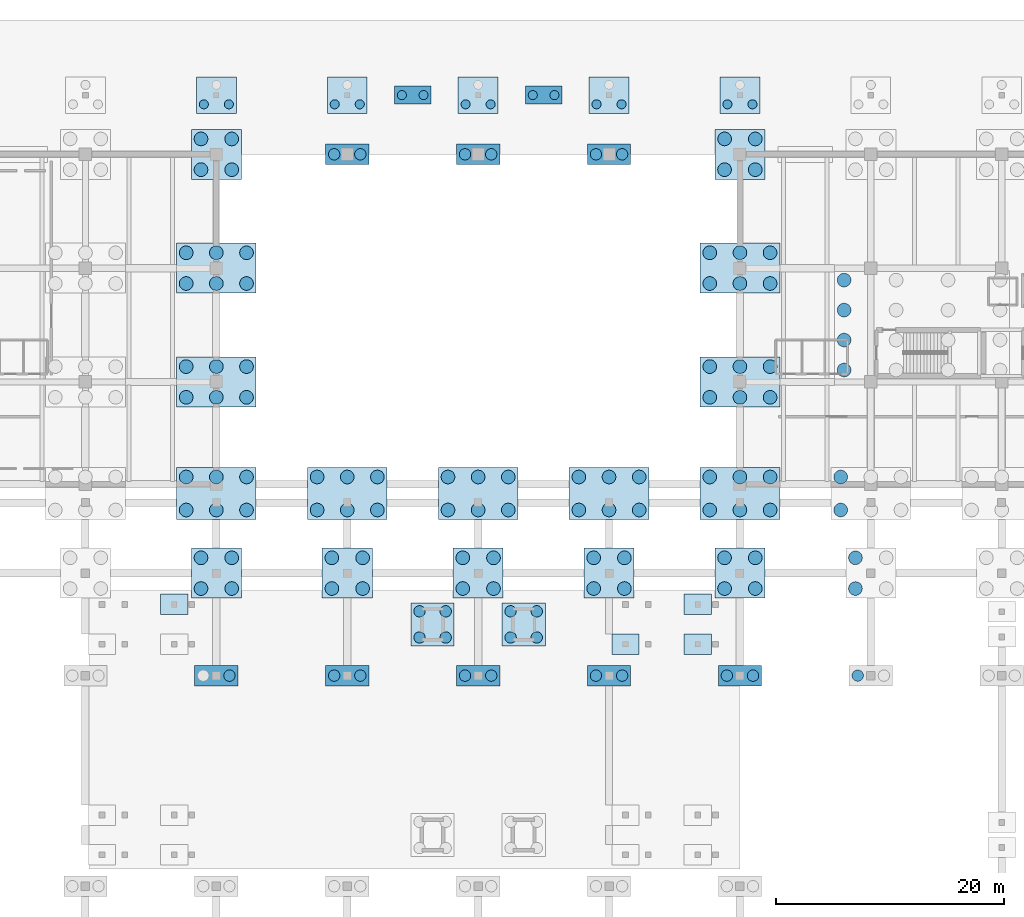
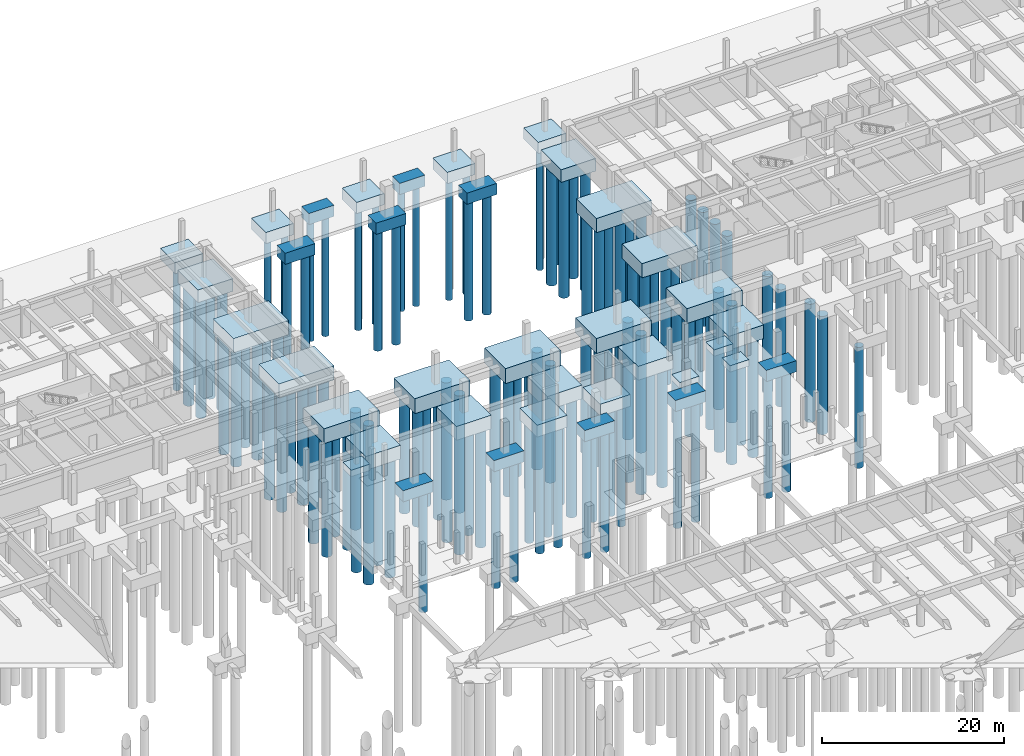
# One storey, part 4 of 28: 128 piles, 37 footings.
"""IFC4 building model written with IfcOpenShell, lengths in metres."""

from ifc_helpers import new_model, si_unit, direction, frame, origin, origin_2d, place, context, subcontext, project, spatial, rectangle, circle, extrude, material, material_profile, profile_set, type_object, element, save


model = new_model("IFC4")

# Units and contexts
model_context = context("Model", 3, precision=1e-05, world=origin(), true_north=direction((0.0, 1.0)))
body_context = subcontext(model_context, "Body", "Model", "MODEL_VIEW")
ifc_project = project(units=[si_unit("LENGTHUNIT", "METRE"), si_unit("AREAUNIT", "SQUARE_METRE"), si_unit("VOLUMEUNIT", "CUBIC_METRE"), si_unit("PLANEANGLEUNIT", "RADIAN"), si_unit("MASSUNIT", "GRAM", prefix="KILO")], contexts=[model_context])

# Site, building, storey
site_placement = place(None, origin())
site = spatial("IfcSite", under=ifc_project, at=site_placement, CompositionType="ELEMENT")
building_placement = place(site_placement, origin())
building = spatial("IfcBuilding", under=site, at=building_placement, Name="Ologun Quay Terminus", CompositionType="ELEMENT")
storey_placement = place(building_placement, frame((0.0, 0.0, -8.39990234375)))
storey = spatial("IfcBuildingStorey", under=building, at=storey_placement, Name="B02", CompositionType="ELEMENT", Elevation=-8.39990234375)

# Piles
ifc_material_1 = material(Name="Concrete C35/45", Category="concrete")
ifc_material_profile_1 = material_profile(ifc_material_1, circle(Radius=0.5, at=origin_2d()), Name="PILE D1000")
ifc_profile_set_1 = profile_set([ifc_material_profile_1], Name="Concrete C35/45")
pile_type_1 = type_object("IfcPileType", Name="Bored Concrete Pile D1000", PredefinedType="BORED", material=ifc_profile_set_1)
for number, where, z_axis, x_axis, name in (
    (1, (86.85009765625, 72.35009765625, -1.5), (0.0, 0.0, -1.0), (1.0, 0.0, 0.0), "P2 Pile FND-LF-P3-01"),
    (2, (89.14990234375, 72.35009765625, -1.5), (0.0, 0.0, -1.0), (1.0, 0.0, 0.0), "P2 Pile FND-LF-P3-02"),
    (3, (86.85009765625, 74.64990234375, -1.5), (0.0, 0.0, -1.0), (1.0, 0.0, 0.0), "P2 Pile FND-LF-P3-03"),
    (4, (89.14990234375, 74.64990234375, -1.5), (0.0, 0.0, -1.0), (1.0, 0.0, 0.0), "P2 Pile FND-LF-P3-04"),
    (5, (94.85009765625, 72.35009765625, -1.5), (0.0, 0.0, -1.0), (1.0, 0.0, 0.0), "P2 Pile FND-LF-P4-01"),
    (6, (97.14990234375, 72.35009765625, -1.5), (0.0, 0.0, -1.0), (1.0, 0.0, 0.0), "P2 Pile FND-LF-P4-02"),
    (7, (94.85009765625, 74.64990234375, -1.5), (0.0, 0.0, -1.0), (1.0, 0.0, 0.0), "P2 Pile FND-LF-P4-03"),
    (8, (97.14990234375, 74.64990234375, -1.5), (0.0, 0.0, -1.0), (1.0, 0.0, 0.0), "P2 Pile FND-LF-P4-04"),
):
    element("IfcPile", number, at=place(storey_placement, frame(where, z_axis=z_axis, x_axis=x_axis)), inside=storey, type_object=pile_type_1, Name=name, PredefinedType="BORED", context=body_context, shape_type="SweptSolid", body=[
        extrude(circle(Radius=0.5, at=origin_2d()), origin(), (0.0, 0.0, 1.0), 16.10009765625),
    ])
for number, where, z_axis, x_axis, name in (
    (9, (70.14990234375, 69.0, -1.400146484375), (0.0, 0.0, -1.0), (1.0, 0.0, 0.0), "P2 Pile FND-SUB-7-Y69-02"),
    (10, (79.35009765625, 114.800048828125, -1.400146484375), (0.0, 0.0, -1.0), (1.0, 0.0, 0.0), "P2 Pile FND-8-K-01"),
    (11, (81.64990234375, 114.800048828125, -1.400146484375), (0.0, 0.0, -1.0), (1.0, 0.0, 0.0), "P2 Pile FND-8-K-02"),
    (12, (79.35009765625, 69.0, -1.400146484375), (0.0, 0.0, -1.0), (1.0, 0.0, 0.0), "P2 Pile FND-SUB-8-Y69-01"),
    (13, (81.64990234375, 69.0, -1.400146484375), (0.0, 0.0, -1.0), (1.0, 0.0, 0.0), "P2 Pile FND-SUB-8-Y69-02"),
    (14, (90.85009765625, 114.800048828125, -1.400146484375), (0.0, 0.0, -1.0), (1.0, 0.0, 0.0), "P2 Pile FND-9-K-01"),
    (15, (93.14990234375, 114.800048828125, -1.400146484375), (0.0, 0.0, -1.0), (1.0, 0.0, 0.0), "P2 Pile FND-9-K-02"),
    (16, (90.85009765625, 69.0, -1.400146484375), (0.0, 0.0, -1.0), (1.0, 0.0, 0.0), "P2 Pile FND-SUB-9-Y69-01"),
    (17, (93.14990234375, 69.0, -1.400146484375), (0.0, 0.0, -1.0), (1.0, 0.0, 0.0), "P2 Pile FND-SUB-9-Y69-02"),
    (18, (102.35009765625, 114.800048828125, -1.400146484375), (0.0, 0.0, -1.0), (1.0, 0.0, 0.0), "P2 Pile FND-10-K-01"),
    (19, (104.64990234375, 114.800048828125, -1.400146484375), (0.0, 0.0, -1.0), (1.0, 0.0, 0.0), "P2 Pile FND-10-K-02"),
    (20, (102.35009765625, 69.0, -1.400146484375), (0.0, 0.0, -1.0), (1.0, 0.0, 0.0), "P2 Pile FND-SUB-10-Y69-01"),
    (21, (104.64990234375, 69.0, -1.400146484375), (0.0, 0.0, -1.0), (1.0, 0.0, 0.0), "P2 Pile FND-SUB-10-Y69-02"),
    (22, (113.85009765625, 69.0, -1.400146484375), (0.0, 0.0, -1.0), (1.0, 0.0, 0.0), "P2 Pile FND-SUB-11-Y69-01"),
    (23, (116.14990234375, 69.0, -1.400146484375), (0.0, 0.0, -1.0), (1.0, 0.0, 0.0), "P2 Pile FND-SUB-11-Y69-02"),
    (24, (125.35009765625, 69.0, -1.400146484375), (0.0, 0.0, -1.0), (1.0, 0.0, 0.0), "P2 Pile FND-SUB-12-Y69-01"),
):
    element("IfcPile", number, at=place(storey_placement, frame(where, z_axis=z_axis, x_axis=x_axis)), inside=storey, type_object=pile_type_1, Name=name, PredefinedType="BORED", context=body_context, shape_type="SweptSolid", body=[
        extrude(circle(Radius=0.5, at=origin_2d()), origin(), (0.0, 0.0, 1.0), 16.199951171875),
    ])
ifc_material_2 = material(Name="Concrete C35/45", Category="concrete")
ifc_material_profile_2 = material_profile(ifc_material_2, circle(Radius=0.60009765625, at=origin_2d()), Name="PILE D1200")
ifc_profile_set_2 = profile_set([ifc_material_profile_2], Name="Concrete C35/45")
pile_type_2 = type_object("IfcPileType", Name="Bored Concrete Pile D1200", PredefinedType="BORED", material=ifc_profile_set_2)
for number, where, z_axis, x_axis, name in (
    (25, (124.14990234375, 95.85009765625, -2.300048828125), (0.0, 0.0, -1.0), (1.0, 0.0, 0.0), "P1 Pile FND-CORE-E1-01"),
    (26, (124.14990234375, 98.4833984375, -2.300048828125), (0.0, 0.0, -1.0), (1.0, 0.0, 0.0), "P1 Pile FND-CORE-E1-05"),
    (27, (124.14990234375, 101.11669921875, -2.300048828125), (0.0, 0.0, -1.0), (1.0, 0.0, 0.0), "P1 Pile FND-CORE-E1-09"),
    (28, (124.14990234375, 103.75, -2.300048828125), (0.0, 0.0, -1.0), (1.0, 0.0, 0.0), "P1 Pile FND-CORE-E1-13"),
):
    element("IfcPile", number, at=place(storey_placement, frame(where, z_axis=z_axis, x_axis=x_axis)), inside=storey, type_object=pile_type_2, Name=name, PredefinedType="BORED", context=body_context, shape_type="SweptSolid", body=[
        extrude(circle(Radius=0.60009765625, at=origin_2d()), origin(), (0.0, 0.0, 1.0), 15.300048828125),
    ])
for number, where, z_axis, x_axis, name in (
    (29, (66.35009765625, 83.550048828125, -1.900146484375), (0.0, 0.0, -1.0), (1.0, 0.0, 0.0), "P1 Pile FND-MJ-7-01"),
    (30, (69.0, 83.550048828125, -1.900146484375), (0.0, 0.0, -1.0), (1.0, 0.0, 0.0), "P1 Pile FND-MJ-7-02"),
    (31, (71.64990234375, 83.550048828125, -1.900146484375), (0.0, 0.0, -1.0), (1.0, 0.0, 0.0), "P1 Pile FND-MJ-7-03"),
    (32, (66.35009765625, 86.449951171875, -1.900146484375), (0.0, 0.0, -1.0), (1.0, 0.0, 0.0), "P1 Pile FND-MJ-7-04"),
    (33, (69.0, 86.449951171875, -1.900146484375), (0.0, 0.0, -1.0), (1.0, 0.0, 0.0), "P1 Pile FND-MJ-7-05"),
    (34, (71.64990234375, 86.449951171875, -1.900146484375), (0.0, 0.0, -1.0), (1.0, 0.0, 0.0), "P1 Pile FND-MJ-7-06"),
):
    element("IfcPile", number, at=place(storey_placement, frame(where, z_axis=z_axis, x_axis=x_axis)), inside=storey, type_object=pile_type_2, Name=name, PredefinedType="BORED", context=body_context, shape_type="SweptSolid", body=[
        extrude(circle(Radius=0.60009765625, at=origin_2d()), origin(), (0.0, 0.0, 1.0), 15.699951171875),
    ])
for number, where, z_axis, x_axis, name in (
    (35, (67.64990234375, 76.64990234375, -1.75), (0.0, 0.0, -1.0), (1.0, 0.0, 0.0), "P1 Pile FND-7-F-01"),
    (36, (70.35009765625, 76.64990234375, -1.75), (0.0, 0.0, -1.0), (1.0, 0.0, 0.0), "P1 Pile FND-7-F-02"),
    (37, (67.64990234375, 79.35009765625, -1.75), (0.0, 0.0, -1.0), (1.0, 0.0, 0.0), "P1 Pile FND-7-F-03"),
    (38, (70.35009765625, 79.35009765625, -1.75), (0.0, 0.0, -1.0), (1.0, 0.0, 0.0), "P1 Pile FND-7-F-04"),
):
    element("IfcPile", number, at=place(storey_placement, frame(where, z_axis=z_axis, x_axis=x_axis)), inside=storey, type_object=pile_type_2, Name=name, PredefinedType="BORED", context=body_context, shape_type="SweptSolid", body=[
        extrude(circle(Radius=0.60009765625, at=origin_2d()), origin(), (0.0, 0.0, 1.0), 15.85009765625),
    ])
for number, where, z_axis, x_axis, name in (
    (39, (66.35009765625, 93.449951171875, -1.800048828125), (0.0, 0.0, -1.0), (1.0, 0.0, 0.0), "P1 Pile FND-7-H-01"),
    (40, (69.0, 93.449951171875, -1.800048828125), (0.0, 0.0, -1.0), (1.0, 0.0, 0.0), "P1 Pile FND-7-H-02"),
    (41, (71.64990234375, 93.449951171875, -1.800048828125), (0.0, 0.0, -1.0), (1.0, 0.0, 0.0), "P1 Pile FND-7-H-03"),
    (42, (66.35009765625, 96.14990234375, -1.800048828125), (0.0, 0.0, -1.0), (1.0, 0.0, 0.0), "P1 Pile FND-7-H-04"),
    (43, (69.0, 96.14990234375, -1.800048828125), (0.0, 0.0, -1.0), (1.0, 0.0, 0.0), "P1 Pile FND-7-H-05"),
    (44, (71.64990234375, 96.14990234375, -1.800048828125), (0.0, 0.0, -1.0), (1.0, 0.0, 0.0), "P1 Pile FND-7-H-06"),
    (45, (66.35009765625, 103.449951171875, -1.800048828125), (0.0, 0.0, -1.0), (1.0, 0.0, 0.0), "P1 Pile FND-7-J-01"),
    (46, (69.0, 103.449951171875, -1.800048828125), (0.0, 0.0, -1.0), (1.0, 0.0, 0.0), "P1 Pile FND-7-J-02"),
    (47, (71.64990234375, 103.449951171875, -1.800048828125), (0.0, 0.0, -1.0), (1.0, 0.0, 0.0), "P1 Pile FND-7-J-03"),
    (48, (66.35009765625, 106.14990234375, -1.800048828125), (0.0, 0.0, -1.0), (1.0, 0.0, 0.0), "P1 Pile FND-7-J-04"),
    (49, (69.0, 106.14990234375, -1.800048828125), (0.0, 0.0, -1.0), (1.0, 0.0, 0.0), "P1 Pile FND-7-J-05"),
    (50, (71.64990234375, 106.14990234375, -1.800048828125), (0.0, 0.0, -1.0), (1.0, 0.0, 0.0), "P1 Pile FND-7-J-06"),
):
    element("IfcPile", number, at=place(storey_placement, frame(where, z_axis=z_axis, x_axis=x_axis)), inside=storey, type_object=pile_type_2, Name=name, PredefinedType="BORED", context=body_context, shape_type="SweptSolid", body=[
        extrude(circle(Radius=0.60009765625, at=origin_2d()), origin(), (0.0, 0.0, 1.0), 15.800048828125),
    ])
for number, where, z_axis, x_axis, name in (
    (51, (67.64990234375, 113.449951171875, -1.60009765625), (0.0, 0.0, -1.0), (1.0, 0.0, 0.0), "P1 Pile FND-7-K-01"),
    (52, (70.35009765625, 113.449951171875, -1.60009765625), (0.0, 0.0, -1.0), (1.0, 0.0, 0.0), "P1 Pile FND-7-K-02"),
    (53, (67.64990234375, 116.14990234375, -1.60009765625), (0.0, 0.0, -1.0), (1.0, 0.0, 0.0), "P1 Pile FND-7-K-03"),
    (54, (70.35009765625, 116.14990234375, -1.60009765625), (0.0, 0.0, -1.0), (1.0, 0.0, 0.0), "P1 Pile FND-7-K-04"),
):
    element("IfcPile", number, at=place(storey_placement, frame(where, z_axis=z_axis, x_axis=x_axis)), inside=storey, type_object=pile_type_2, Name=name, PredefinedType="BORED", context=body_context, shape_type="SweptSolid", body=[
        extrude(circle(Radius=0.60009765625, at=origin_2d()), origin(), (0.0, 0.0, 1.0), 16.0),
    ])
for number, where, z_axis, x_axis, name in (
    (55, (77.85009765625, 83.550048828125, -1.900146484375), (0.0, 0.0, -1.0), (1.0, 0.0, 0.0), "P1 Pile FND-MJ-8-01"),
    (56, (80.5, 83.550048828125, -1.900146484375), (0.0, 0.0, -1.0), (1.0, 0.0, 0.0), "P1 Pile FND-MJ-8-02"),
    (57, (83.14990234375, 83.550048828125, -1.900146484375), (0.0, 0.0, -1.0), (1.0, 0.0, 0.0), "P1 Pile FND-MJ-8-03"),
    (58, (77.85009765625, 86.449951171875, -1.900146484375), (0.0, 0.0, -1.0), (1.0, 0.0, 0.0), "P1 Pile FND-MJ-8-04"),
    (59, (80.5, 86.449951171875, -1.900146484375), (0.0, 0.0, -1.0), (1.0, 0.0, 0.0), "P1 Pile FND-MJ-8-05"),
    (60, (83.14990234375, 86.449951171875, -1.900146484375), (0.0, 0.0, -1.0), (1.0, 0.0, 0.0), "P1 Pile FND-MJ-8-06"),
):
    element("IfcPile", number, at=place(storey_placement, frame(where, z_axis=z_axis, x_axis=x_axis)), inside=storey, type_object=pile_type_2, Name=name, PredefinedType="BORED", context=body_context, shape_type="SweptSolid", body=[
        extrude(circle(Radius=0.60009765625, at=origin_2d()), origin(), (0.0, 0.0, 1.0), 15.699951171875),
    ])
for number, where, z_axis, x_axis, name in (
    (61, (79.14990234375, 76.64990234375, -1.75), (0.0, 0.0, -1.0), (1.0, 0.0, 0.0), "P1 Pile FND-8-F-01"),
    (62, (81.85009765625, 76.64990234375, -1.75), (0.0, 0.0, -1.0), (1.0, 0.0, 0.0), "P1 Pile FND-8-F-02"),
    (63, (79.14990234375, 79.35009765625, -1.75), (0.0, 0.0, -1.0), (1.0, 0.0, 0.0), "P1 Pile FND-8-F-03"),
    (64, (81.85009765625, 79.35009765625, -1.75), (0.0, 0.0, -1.0), (1.0, 0.0, 0.0), "P1 Pile FND-8-F-04"),
):
    element("IfcPile", number, at=place(storey_placement, frame(where, z_axis=z_axis, x_axis=x_axis)), inside=storey, type_object=pile_type_2, Name=name, PredefinedType="BORED", context=body_context, shape_type="SweptSolid", body=[
        extrude(circle(Radius=0.60009765625, at=origin_2d()), origin(), (0.0, 0.0, 1.0), 15.85009765625),
    ])
for number, where, z_axis, x_axis, name in (
    (65, (89.35009765625, 83.550048828125, -1.900146484375), (0.0, 0.0, -1.0), (1.0, 0.0, 0.0), "P1 Pile FND-MJ-9-01"),
    (66, (92.0, 83.550048828125, -1.900146484375), (0.0, 0.0, -1.0), (1.0, 0.0, 0.0), "P1 Pile FND-MJ-9-02"),
    (67, (94.64990234375, 83.550048828125, -1.900146484375), (0.0, 0.0, -1.0), (1.0, 0.0, 0.0), "P1 Pile FND-MJ-9-03"),
    (68, (89.35009765625, 86.449951171875, -1.900146484375), (0.0, 0.0, -1.0), (1.0, 0.0, 0.0), "P1 Pile FND-MJ-9-04"),
    (69, (92.0, 86.449951171875, -1.900146484375), (0.0, 0.0, -1.0), (1.0, 0.0, 0.0), "P1 Pile FND-MJ-9-05"),
    (70, (94.64990234375, 86.449951171875, -1.900146484375), (0.0, 0.0, -1.0), (1.0, 0.0, 0.0), "P1 Pile FND-MJ-9-06"),
):
    element("IfcPile", number, at=place(storey_placement, frame(where, z_axis=z_axis, x_axis=x_axis)), inside=storey, type_object=pile_type_2, Name=name, PredefinedType="BORED", context=body_context, shape_type="SweptSolid", body=[
        extrude(circle(Radius=0.60009765625, at=origin_2d()), origin(), (0.0, 0.0, 1.0), 15.699951171875),
    ])
for number, where, z_axis, x_axis, name in (
    (71, (90.64990234375, 76.64990234375, -1.75), (0.0, 0.0, -1.0), (1.0, 0.0, 0.0), "P1 Pile FND-9-F-01"),
    (72, (93.35009765625, 76.64990234375, -1.75), (0.0, 0.0, -1.0), (1.0, 0.0, 0.0), "P1 Pile FND-9-F-02"),
    (73, (90.64990234375, 79.35009765625, -1.75), (0.0, 0.0, -1.0), (1.0, 0.0, 0.0), "P1 Pile FND-9-F-03"),
    (74, (93.35009765625, 79.35009765625, -1.75), (0.0, 0.0, -1.0), (1.0, 0.0, 0.0), "P1 Pile FND-9-F-04"),
):
    element("IfcPile", number, at=place(storey_placement, frame(where, z_axis=z_axis, x_axis=x_axis)), inside=storey, type_object=pile_type_2, Name=name, PredefinedType="BORED", context=body_context, shape_type="SweptSolid", body=[
        extrude(circle(Radius=0.60009765625, at=origin_2d()), origin(), (0.0, 0.0, 1.0), 15.85009765625),
    ])
for number, where, z_axis, x_axis, name in (
    (75, (100.85009765625, 83.550048828125, -1.900146484375), (0.0, 0.0, -1.0), (1.0, 0.0, 0.0), "P1 Pile FND-MJ-10-01"),
    (76, (103.5, 83.550048828125, -1.900146484375), (0.0, 0.0, -1.0), (1.0, 0.0, 0.0), "P1 Pile FND-MJ-10-02"),
    (77, (106.14990234375, 83.550048828125, -1.900146484375), (0.0, 0.0, -1.0), (1.0, 0.0, 0.0), "P1 Pile FND-MJ-10-03"),
    (78, (100.85009765625, 86.449951171875, -1.900146484375), (0.0, 0.0, -1.0), (1.0, 0.0, 0.0), "P1 Pile FND-MJ-10-04"),
    (79, (103.5, 86.449951171875, -1.900146484375), (0.0, 0.0, -1.0), (1.0, 0.0, 0.0), "P1 Pile FND-MJ-10-05"),
    (80, (106.14990234375, 86.449951171875, -1.900146484375), (0.0, 0.0, -1.0), (1.0, 0.0, 0.0), "P1 Pile FND-MJ-10-06"),
):
    element("IfcPile", number, at=place(storey_placement, frame(where, z_axis=z_axis, x_axis=x_axis)), inside=storey, type_object=pile_type_2, Name=name, PredefinedType="BORED", context=body_context, shape_type="SweptSolid", body=[
        extrude(circle(Radius=0.60009765625, at=origin_2d()), origin(), (0.0, 0.0, 1.0), 15.699951171875),
    ])
for number, where, z_axis, x_axis, name in (
    (81, (102.14990234375, 76.64990234375, -1.75), (0.0, 0.0, -1.0), (1.0, 0.0, 0.0), "P1 Pile FND-10-F-01"),
    (82, (104.85009765625, 76.64990234375, -1.75), (0.0, 0.0, -1.0), (1.0, 0.0, 0.0), "P1 Pile FND-10-F-02"),
    (83, (102.14990234375, 79.35009765625, -1.75), (0.0, 0.0, -1.0), (1.0, 0.0, 0.0), "P1 Pile FND-10-F-03"),
    (84, (104.85009765625, 79.35009765625, -1.75), (0.0, 0.0, -1.0), (1.0, 0.0, 0.0), "P1 Pile FND-10-F-04"),
):
    element("IfcPile", number, at=place(storey_placement, frame(where, z_axis=z_axis, x_axis=x_axis)), inside=storey, type_object=pile_type_2, Name=name, PredefinedType="BORED", context=body_context, shape_type="SweptSolid", body=[
        extrude(circle(Radius=0.60009765625, at=origin_2d()), origin(), (0.0, 0.0, 1.0), 15.85009765625),
    ])
for number, where, z_axis, x_axis, name in (
    (85, (112.35009765625, 83.550048828125, -1.900146484375), (0.0, 0.0, -1.0), (1.0, 0.0, 0.0), "P1 Pile FND-MJ-11-01"),
    (86, (115.0, 83.550048828125, -1.900146484375), (0.0, 0.0, -1.0), (1.0, 0.0, 0.0), "P1 Pile FND-MJ-11-02"),
    (87, (117.64990234375, 83.550048828125, -1.900146484375), (0.0, 0.0, -1.0), (1.0, 0.0, 0.0), "P1 Pile FND-MJ-11-03"),
    (88, (112.35009765625, 86.449951171875, -1.900146484375), (0.0, 0.0, -1.0), (1.0, 0.0, 0.0), "P1 Pile FND-MJ-11-04"),
    (89, (115.0, 86.449951171875, -1.900146484375), (0.0, 0.0, -1.0), (1.0, 0.0, 0.0), "P1 Pile FND-MJ-11-05"),
    (90, (117.64990234375, 86.449951171875, -1.900146484375), (0.0, 0.0, -1.0), (1.0, 0.0, 0.0), "P1 Pile FND-MJ-11-06"),
):
    element("IfcPile", number, at=place(storey_placement, frame(where, z_axis=z_axis, x_axis=x_axis)), inside=storey, type_object=pile_type_2, Name=name, PredefinedType="BORED", context=body_context, shape_type="SweptSolid", body=[
        extrude(circle(Radius=0.60009765625, at=origin_2d()), origin(), (0.0, 0.0, 1.0), 15.699951171875),
    ])
for number, where, z_axis, x_axis, name in (
    (91, (113.64990234375, 76.64990234375, -1.75), (0.0, 0.0, -1.0), (1.0, 0.0, 0.0), "P1 Pile FND-11-F-01"),
    (92, (116.35009765625, 76.64990234375, -1.75), (0.0, 0.0, -1.0), (1.0, 0.0, 0.0), "P1 Pile FND-11-F-02"),
    (93, (113.64990234375, 79.35009765625, -1.75), (0.0, 0.0, -1.0), (1.0, 0.0, 0.0), "P1 Pile FND-11-F-03"),
    (94, (116.35009765625, 79.35009765625, -1.75), (0.0, 0.0, -1.0), (1.0, 0.0, 0.0), "P1 Pile FND-11-F-04"),
):
    element("IfcPile", number, at=place(storey_placement, frame(where, z_axis=z_axis, x_axis=x_axis)), inside=storey, type_object=pile_type_2, Name=name, PredefinedType="BORED", context=body_context, shape_type="SweptSolid", body=[
        extrude(circle(Radius=0.60009765625, at=origin_2d()), origin(), (0.0, 0.0, 1.0), 15.85009765625),
    ])
for number, where, z_axis, x_axis, name in (
    (95, (112.35009765625, 93.449951171875, -1.800048828125), (0.0, 0.0, -1.0), (1.0, 0.0, 0.0), "P1 Pile FND-11-H-01"),
    (96, (115.0, 93.449951171875, -1.800048828125), (0.0, 0.0, -1.0), (1.0, 0.0, 0.0), "P1 Pile FND-11-H-02"),
    (97, (117.64990234375, 93.449951171875, -1.800048828125), (0.0, 0.0, -1.0), (1.0, 0.0, 0.0), "P1 Pile FND-11-H-03"),
    (98, (112.35009765625, 96.14990234375, -1.800048828125), (0.0, 0.0, -1.0), (1.0, 0.0, 0.0), "P1 Pile FND-11-H-04"),
    (99, (115.0, 96.14990234375, -1.800048828125), (0.0, 0.0, -1.0), (1.0, 0.0, 0.0), "P1 Pile FND-11-H-05"),
    (100, (117.64990234375, 96.14990234375, -1.800048828125), (0.0, 0.0, -1.0), (1.0, 0.0, 0.0), "P1 Pile FND-11-H-06"),
    (101, (112.35009765625, 103.449951171875, -1.800048828125), (0.0, 0.0, -1.0), (1.0, 0.0, 0.0), "P1 Pile FND-11-J-01"),
    (102, (115.0, 103.449951171875, -1.800048828125), (0.0, 0.0, -1.0), (1.0, 0.0, 0.0), "P1 Pile FND-11-J-02"),
    (103, (117.64990234375, 103.449951171875, -1.800048828125), (0.0, 0.0, -1.0), (1.0, 0.0, 0.0), "P1 Pile FND-11-J-03"),
    (104, (112.35009765625, 106.14990234375, -1.800048828125), (0.0, 0.0, -1.0), (1.0, 0.0, 0.0), "P1 Pile FND-11-J-04"),
    (105, (115.0, 106.14990234375, -1.800048828125), (0.0, 0.0, -1.0), (1.0, 0.0, 0.0), "P1 Pile FND-11-J-05"),
    (106, (117.64990234375, 106.14990234375, -1.800048828125), (0.0, 0.0, -1.0), (1.0, 0.0, 0.0), "P1 Pile FND-11-J-06"),
):
    element("IfcPile", number, at=place(storey_placement, frame(where, z_axis=z_axis, x_axis=x_axis)), inside=storey, type_object=pile_type_2, Name=name, PredefinedType="BORED", context=body_context, shape_type="SweptSolid", body=[
        extrude(circle(Radius=0.60009765625, at=origin_2d()), origin(), (0.0, 0.0, 1.0), 15.800048828125),
    ])
for number, where, z_axis, x_axis, name in (
    (107, (113.64990234375, 113.449951171875, -1.60009765625), (0.0, 0.0, -1.0), (1.0, 0.0, 0.0), "P1 Pile FND-11-K-01"),
    (108, (116.35009765625, 113.449951171875, -1.60009765625), (0.0, 0.0, -1.0), (1.0, 0.0, 0.0), "P1 Pile FND-11-K-02"),
    (109, (113.64990234375, 116.14990234375, -1.60009765625), (0.0, 0.0, -1.0), (1.0, 0.0, 0.0), "P1 Pile FND-11-K-03"),
    (110, (116.35009765625, 116.14990234375, -1.60009765625), (0.0, 0.0, -1.0), (1.0, 0.0, 0.0), "P1 Pile FND-11-K-04"),
):
    element("IfcPile", number, at=place(storey_placement, frame(where, z_axis=z_axis, x_axis=x_axis)), inside=storey, type_object=pile_type_2, Name=name, PredefinedType="BORED", context=body_context, shape_type="SweptSolid", body=[
        extrude(circle(Radius=0.60009765625, at=origin_2d()), origin(), (0.0, 0.0, 1.0), 16.0),
    ])
for number, where, z_axis, x_axis, name in (
    (111, (123.85009765625, 83.550048828125, -1.900146484375), (0.0, 0.0, -1.0), (1.0, 0.0, 0.0), "P1 Pile FND-MJ-12-01"),
    (112, (123.85009765625, 86.449951171875, -1.900146484375), (0.0, 0.0, -1.0), (1.0, 0.0, 0.0), "P1 Pile FND-MJ-12-04"),
):
    element("IfcPile", number, at=place(storey_placement, frame(where, z_axis=z_axis, x_axis=x_axis)), inside=storey, type_object=pile_type_2, Name=name, PredefinedType="BORED", context=body_context, shape_type="SweptSolid", body=[
        extrude(circle(Radius=0.60009765625, at=origin_2d()), origin(), (0.0, 0.0, 1.0), 15.699951171875),
    ])
for number, where, z_axis, x_axis, name in (
    (113, (125.14990234375, 76.64990234375, -1.75), (0.0, 0.0, -1.0), (1.0, 0.0, 0.0), "P1 Pile FND-12-F-01"),
    (114, (125.14990234375, 79.35009765625, -1.75), (0.0, 0.0, -1.0), (1.0, 0.0, 0.0), "P1 Pile FND-12-F-03"),
):
    element("IfcPile", number, at=place(storey_placement, frame(where, z_axis=z_axis, x_axis=x_axis)), inside=storey, type_object=pile_type_2, Name=name, PredefinedType="BORED", context=body_context, shape_type="SweptSolid", body=[
        extrude(circle(Radius=0.60009765625, at=origin_2d()), origin(), (0.0, 0.0, 1.0), 15.85009765625),
    ])
ifc_material_3 = material(Name="Concrete C35/45", Category="concrete")
ifc_material_profile_3 = material_profile(ifc_material_3, circle(Radius=0.39990234375, at=origin_2d()), Name="PILE D800")
ifc_profile_set_3 = profile_set([ifc_material_profile_3], Name="Concrete C35/45")
pile_type_3 = type_object("IfcPileType", Name="Bored Concrete Pile D800", PredefinedType="BORED", material=ifc_profile_set_3)
for number, where, z_axis, x_axis, name in (
    (115, (67.89990234375, 119.1923828125, -1.400146484375), (0.0, 0.0, -1.0), (1.0, 0.0, 0.0), "P3 Pile FND-7-L-01"),
    (116, (70.10009765625, 119.1923828125, -1.400146484375), (0.0, 0.0, -1.0), (1.0, 0.0, 0.0), "P3 Pile FND-7-L-02"),
    (117, (79.39990234375, 119.1923828125, -1.400146484375), (0.0, 0.0, -1.0), (1.0, 0.0, 0.0), "P3 Pile FND-8-L-01"),
    (118, (81.60009765625, 119.1923828125, -1.400146484375), (0.0, 0.0, -1.0), (1.0, 0.0, 0.0), "P3 Pile FND-8-L-02"),
    (119, (90.89990234375, 119.1923828125, -1.400146484375), (0.0, 0.0, -1.0), (1.0, 0.0, 0.0), "P3 Pile FND-9-L-01"),
    (120, (93.10009765625, 119.1923828125, -1.400146484375), (0.0, 0.0, -1.0), (1.0, 0.0, 0.0), "P3 Pile FND-9-L-02"),
    (121, (102.39990234375, 119.1923828125, -1.400146484375), (0.0, 0.0, -1.0), (1.0, 0.0, 0.0), "P3 Pile FND-10-L-01"),
    (122, (104.60009765625, 119.1923828125, -1.400146484375), (0.0, 0.0, -1.0), (1.0, 0.0, 0.0), "P3 Pile FND-10-L-02"),
    (123, (113.89990234375, 119.1923828125, -1.400146484375), (0.0, 0.0, -1.0), (1.0, 0.0, 0.0), "P3 Pile FND-11-L-01"),
    (124, (116.10009765625, 119.1923828125, -1.400146484375), (0.0, 0.0, -1.0), (1.0, 0.0, 0.0), "P3 Pile FND-11-L-02"),
    (125, (85.300048828125, 120.0, -1.400146484375), (0.0, 0.0, -1.0), (1.0, 0.0, 0.0), "P3 Pile FND-PC11-COL1-01"),
    (126, (87.199951171875, 120.0, -1.400146484375), (0.0, 0.0, -1.0), (1.0, 0.0, 0.0), "P3 Pile FND-PC11-COL1-02"),
    (127, (96.800048828125, 120.0, -1.400146484375), (0.0, 0.0, -1.0), (1.0, 0.0, 0.0), "P3 Pile FND-PC11-COL2-01"),
    (128, (98.699951171875, 120.0, -1.400146484375), (0.0, 0.0, -1.0), (1.0, 0.0, 0.0), "P3 Pile FND-PC11-COL2-02"),
):
    element("IfcPile", number, at=place(storey_placement, frame(where, z_axis=z_axis, x_axis=x_axis)), inside=storey, type_object=pile_type_3, Name=name, PredefinedType="BORED", context=body_context, shape_type="SweptSolid", body=[
        extrude(circle(Radius=0.39990234375, at=origin_2d()), origin(), (0.0, 0.0, 1.0), 16.199951171875),
    ])

# Footings
ifc_material_4 = material(Name="Concrete C35/45", Category="concrete")
footing_type_1 = type_object("IfcFootingType", Name="Four-Pile Arch Thrust Cap 4400x4400x1850", PredefinedType="PILE_CAP", material=ifc_material_4)
for number, where, z_axis, x_axis, name in (
    (129, (69.0, 78.0, -1.85009765625), (0.0, 0.0, 1.0), (1.0, 0.0, 0.0), "PC3 Footing 7/F"),
    (130, (80.5, 78.0, -1.85009765625), (0.0, 0.0, 1.0), (1.0, 0.0, 0.0), "PC3 Footing 8/F"),
    (131, (92.0, 78.0, -1.85009765625), (0.0, 0.0, 1.0), (1.0, 0.0, 0.0), "PC3 Footing 9/F"),
    (132, (103.5, 78.0, -1.85009765625), (0.0, 0.0, 1.0), (1.0, 0.0, 0.0), "PC3 Footing 10/F"),
    (133, (115.0, 78.0, -1.85009765625), (0.0, 0.0, 1.0), (1.0, 0.0, 0.0), "PC3 Footing 11/F"),
):
    element("IfcFooting", number, at=place(storey_placement, frame(where, z_axis=z_axis, x_axis=x_axis)), inside=storey, type_object=footing_type_1, Name=name, PredefinedType="PILE_CAP", context=body_context, shape_type="SweptSolid", body=[
        extrude(rectangle(XDim=4.39990234375, YDim=4.39990234375, at=origin_2d()), origin(), (0.0, 0.0, 1.0), 1.85009765625),
    ])
ifc_material_5 = material(Name="Concrete C35/45", Category="concrete")
footing_type_2 = type_object("IfcFootingType", Name="Four-Pile Courtyard Wing Cap 4400x4400x1700", PredefinedType="PILE_CAP", material=ifc_material_5)
for number, where, z_axis, x_axis, name in (
    (134, (69.0, 114.800048828125, -1.7001953125), (0.0, 0.0, 1.0), (1.0, 0.0, 0.0), "PC2 Footing 7/K"),
    (135, (115.0, 114.800048828125, -1.7001953125), (0.0, 0.0, 1.0), (1.0, 0.0, 0.0), "PC2 Footing 11/K"),
):
    element("IfcFooting", number, at=place(storey_placement, frame(where, z_axis=z_axis, x_axis=x_axis)), inside=storey, type_object=footing_type_2, Name=name, PredefinedType="PILE_CAP", context=body_context, shape_type="SweptSolid", body=[
        extrude(rectangle(XDim=4.39990234375, YDim=4.39990234375, at=origin_2d()), origin(), (0.0, 0.0, 1.0), 1.699951171875),
    ])
ifc_material_6 = material(Name="Concrete C35/45", Category="concrete")
footing_type_3 = type_object("IfcFootingType", Name="Four-Pile Station Cap 3800x3800x1600", PredefinedType="PILE_CAP", material=ifc_material_6)
for number, where, z_axis, x_axis, name in (
    (136, (88.0, 73.5, -1.60009765625), (0.0, 0.0, 1.0), (1.0, 0.0, 0.0), "PC4 Footing 8/F"),
    (137, (96.0, 73.5, -1.60009765625), (0.0, 0.0, 1.0), (1.0, 0.0, 0.0), "PC4 Footing 9/F"),
):
    element("IfcFooting", number, at=place(storey_placement, frame(where, z_axis=z_axis, x_axis=x_axis)), inside=storey, type_object=footing_type_3, Name=name, PredefinedType="PILE_CAP", context=body_context, shape_type="SweptSolid", body=[
        extrude(rectangle(XDim=3.800048828125, YDim=3.800048828125, at=origin_2d()), origin(), (0.0, 0.0, 1.0), 1.60009765625),
    ])
ifc_material_7 = material(Name="Concrete C35/45", Category="concrete")
footing_type_4 = type_object("IfcFootingType", Name="Platform Stair Pad Footing 2400x1800x850", PredefinedType="PAD_FOOTING", material=ifc_material_7)
for number, where, z_axis, x_axis, name in (
    (138, (65.300048828125, 75.25, -0.85009765625), (0.0, 0.0, 1.0), (1.0, 0.0, 0.0), "PF4 Footing 6/F"),
    (139, (104.949951171875, 71.75, -0.85009765625), (0.0, 0.0, 1.0), (1.0, 0.0, 0.0), "PF4 Footing 10/F"),
    (140, (111.300048828125, 71.75, -0.85009765625), (0.0, 0.0, 1.0), (1.0, 0.0, 0.0), "PF4 Footing 10/F"),
    (141, (111.300048828125, 75.25, -0.85009765625), (0.0, 0.0, 1.0), (1.0, 0.0, 0.0), "PF4 Footing 10/F"),
):
    element("IfcFooting", number, at=place(storey_placement, frame(where, z_axis=z_axis, x_axis=x_axis)), inside=storey, type_object=footing_type_4, Name=name, PredefinedType="PAD_FOOTING", context=body_context, shape_type="SweptSolid", body=[
        extrude(rectangle(XDim=2.39990234375, YDim=1.800048828125, at=origin_2d()), origin(), (0.0, 0.0, 1.0), 0.85009765625),
    ])
ifc_material_8 = material(Name="Concrete C35/45", Category="concrete")
footing_type_5 = type_object("IfcFootingType", Name="Six-Pile Courtyard Wing Cap 7000x4400x1900", PredefinedType="PILE_CAP", material=ifc_material_8)
for number, where, z_axis, x_axis, name in (
    (142, (69.0, 94.800048828125, -1.900146484375), (0.0, 0.0, 1.0), (1.0, 0.0, 0.0), "PC1 Footing 7/H"),
    (143, (69.0, 104.800048828125, -1.900146484375), (0.0, 0.0, 1.0), (1.0, 0.0, 0.0), "PC1 Footing 7/J"),
    (144, (115.0, 94.800048828125, -1.900146484375), (0.0, 0.0, 1.0), (1.0, 0.0, 0.0), "PC1 Footing 11/H"),
    (145, (115.0, 104.800048828125, -1.900146484375), (0.0, 0.0, 1.0), (1.0, 0.0, 0.0), "PC1 Footing 11/J"),
):
    element("IfcFooting", number, at=place(storey_placement, frame(where, z_axis=z_axis, x_axis=x_axis)), inside=storey, type_object=footing_type_5, Name=name, PredefinedType="PILE_CAP", context=body_context, shape_type="SweptSolid", body=[
        extrude(rectangle(XDim=7.0, YDim=4.39990234375, at=origin_2d()), origin(), (0.0, 0.0, 1.0), 1.89990234375),
    ])
ifc_material_9 = material(Name="Concrete C35/45", Category="concrete")
footing_type_6 = type_object("IfcFootingType", Name="Six-Pile Movement Joint Combined Cap 7000x4600x2000", PredefinedType="PILE_CAP", material=ifc_material_9)
for number, where, z_axis, x_axis, name in (
    (146, (69.0, 85.0, -2.0), (0.0, 0.0, 1.0), (1.0, 0.0, 0.0), "PC6 Footing 7/G1-G2"),
    (147, (80.5, 85.0, -2.0), (0.0, 0.0, 1.0), (1.0, 0.0, 0.0), "PC6 Footing 8/G1-G2"),
    (148, (92.0, 85.0, -2.0), (0.0, 0.0, 1.0), (1.0, 0.0, 0.0), "PC6 Footing 9/G1-G2"),
    (149, (103.5, 85.0, -2.0), (0.0, 0.0, 1.0), (1.0, 0.0, 0.0), "PC6 Footing 10/G1-G2"),
    (150, (115.0, 85.0, -2.0), (0.0, 0.0, 1.0), (1.0, 0.0, 0.0), "PC6 Footing 11/G1-G2"),
):
    element("IfcFooting", number, at=place(storey_placement, frame(where, z_axis=z_axis, x_axis=x_axis)), inside=storey, type_object=footing_type_6, Name=name, PredefinedType="PILE_CAP", context=body_context, shape_type="SweptSolid", body=[
        extrude(rectangle(XDim=7.0, YDim=4.60009765625, at=origin_2d()), origin(), (0.0, 0.0, 1.0), 2.0),
    ])
ifc_material_10 = material(Name="Concrete C35/45", Category="concrete")
footing_type_7 = type_object("IfcFootingType", Name="Three-Pile Canopy Edge Cap 3500x3200x1500", PredefinedType="PILE_CAP", material=ifc_material_10)
for number, where, z_axis, x_axis, name in (
    (151, (69.0, 120.0, -1.5), (0.0, 0.0, 1.0), (1.0, 0.0, 0.0), "PC10 Footing 7/L"),
    (152, (80.5, 120.0, -1.5), (0.0, 0.0, 1.0), (1.0, 0.0, 0.0), "PC10 Footing 8/L"),
    (153, (92.0, 120.0, -1.5), (0.0, 0.0, 1.0), (1.0, 0.0, 0.0), "PC10 Footing 9/L"),
    (154, (103.5, 120.0, -1.5), (0.0, 0.0, 1.0), (1.0, 0.0, 0.0), "PC10 Footing 10/L"),
    (155, (115.0, 120.0, -1.5), (0.0, 0.0, 1.0), (1.0, 0.0, 0.0), "PC10 Footing 11/L"),
):
    element("IfcFooting", number, at=place(storey_placement, frame(where, z_axis=z_axis, x_axis=x_axis)), inside=storey, type_object=footing_type_7, Name=name, PredefinedType="PILE_CAP", context=body_context, shape_type="SweptSolid", body=[
        extrude(rectangle(XDim=3.5, YDim=3.199951171875, at=origin_2d()), origin(), (0.0, 0.0, 1.0), 1.5),
    ])
ifc_material_11 = material(Name="Concrete C35/45", Category="concrete")
footing_type_8 = type_object("IfcFootingType", Name="Two-Pile Podium Cap 3800x1800x1500", PredefinedType="PILE_CAP", material=ifc_material_11)
for number, where, z_axis, x_axis, name in (
    (156, (69.0, 69.0, -1.5), (0.0, 0.0, 1.0), (1.0, 0.0, 0.0), "PC5 Footing 7/E"),
    (157, (80.5, 114.800048828125, -1.5), (0.0, 0.0, 1.0), (1.0, 0.0, 0.0), "PC5 Footing 8/K"),
    (158, (80.5, 69.0, -1.5), (0.0, 0.0, 1.0), (1.0, 0.0, 0.0), "PC5 Footing 8/E"),
    (159, (92.0, 114.800048828125, -1.5), (0.0, 0.0, 1.0), (1.0, 0.0, 0.0), "PC5 Footing 9/K"),
    (160, (92.0, 69.0, -1.5), (0.0, 0.0, 1.0), (1.0, 0.0, 0.0), "PC5 Footing 9/E"),
    (161, (103.5, 114.800048828125, -1.5), (0.0, 0.0, 1.0), (1.0, 0.0, 0.0), "PC5 Footing 10/K"),
    (162, (103.5, 69.0, -1.5), (0.0, 0.0, 1.0), (1.0, 0.0, 0.0), "PC5 Footing 10/E"),
    (163, (115.0, 69.0, -1.5), (0.0, 0.0, 1.0), (1.0, 0.0, 0.0), "PC5 Footing 11/E"),
):
    element("IfcFooting", number, at=place(storey_placement, frame(where, z_axis=z_axis, x_axis=x_axis)), inside=storey, type_object=footing_type_8, Name=name, PredefinedType="PILE_CAP", context=body_context, shape_type="SweptSolid", body=[
        extrude(rectangle(XDim=3.800048828125, YDim=1.800048828125, at=origin_2d()), origin(), (0.0, 0.0, 1.0), 1.5),
    ])
ifc_material_12 = material(Name="Concrete C35/45", Category="concrete")
footing_type_9 = type_object("IfcFootingType", Name="Two-Pile Substructure Cap 3200x1600x1500", PredefinedType="PILE_CAP", material=ifc_material_12)
for number, where, z_axis, x_axis, name in (
    (164, (86.25, 120.0, -1.5), (0.0, 0.0, 1.0), (1.0, 0.0, 0.0), "PC11 Footing 8/L"),
    (165, (97.75, 120.0, -1.5), (0.0, 0.0, 1.0), (1.0, 0.0, 0.0), "PC11 Footing 8/L"),
):
    element("IfcFooting", number, at=place(storey_placement, frame(where, z_axis=z_axis, x_axis=x_axis)), inside=storey, type_object=footing_type_9, Name=name, PredefinedType="PILE_CAP", context=body_context, shape_type="SweptSolid", body=[
        extrude(rectangle(XDim=3.199951171875, YDim=1.60009765625, at=origin_2d()), origin(), (0.0, 0.0, 1.0), 1.5),
    ])

save(model, "model.ifc")
